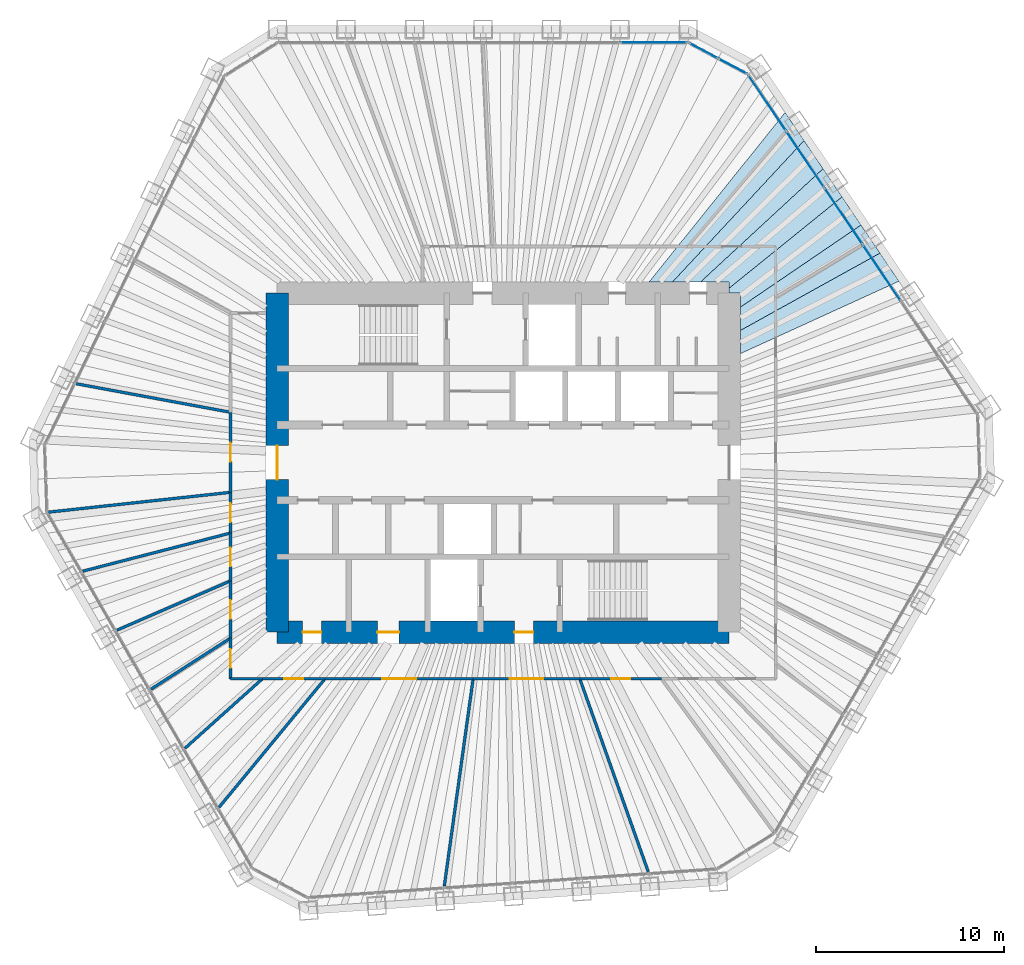
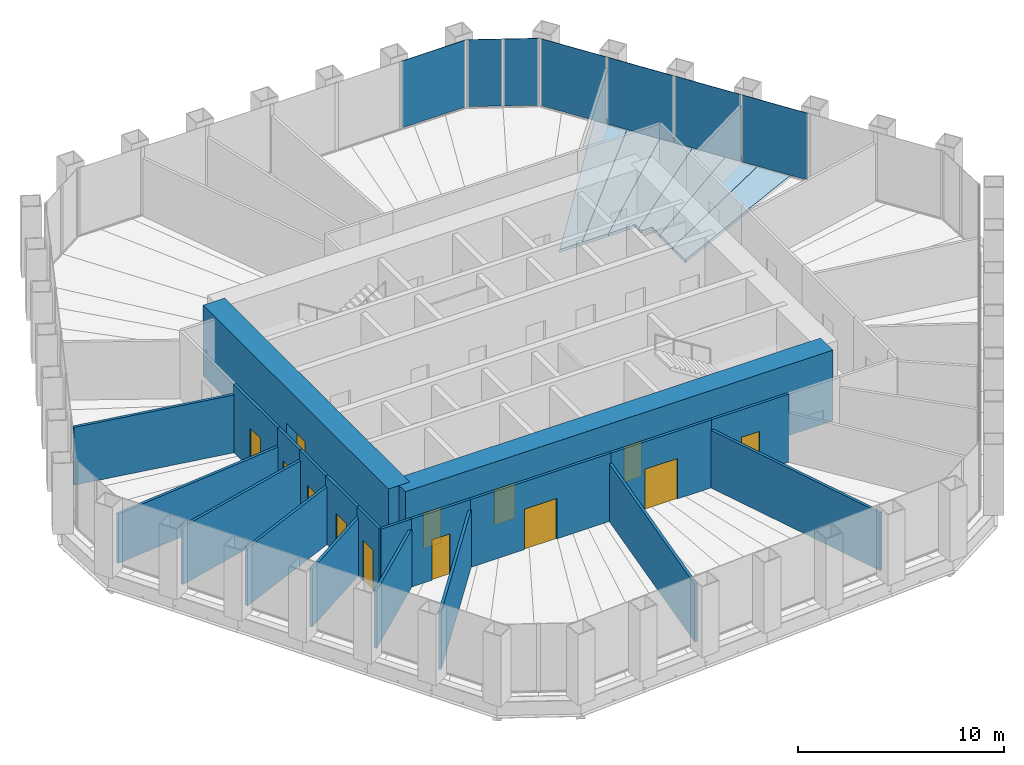
# One storey, part 10 of 14: 21 walls, 13 doors, 7 plates, 6 slabs, 13 openings, 3 elements without a shape of their own.
"""IFC4 building model written with IfcOpenShell, lengths in metres."""

from ifc_helpers import new_model, si_unit, direction, frame, frame_2d, origin, origin_2d, place, context, subcontext, project, spatial, polyline, rectangle, outline, extrude, material, layer, layer_set, type_object, element, fill, aggregate, save


model = new_model("IFC4")

# Units and contexts
model_context = context("Model", 3, precision=1e-05, world=origin(), true_north=direction((0.0, 1.0)))
body_context = subcontext(model_context, "Body", "Model", "MODEL_VIEW")
ifc_project = project(units=[si_unit("LENGTHUNIT", "METRE"), si_unit("AREAUNIT", "SQUARE_METRE"), si_unit("VOLUMEUNIT", "CUBIC_METRE"), si_unit("PLANEANGLEUNIT", "RADIAN"), si_unit("MASSUNIT", "GRAM", prefix="KILO")], contexts=[model_context])

# Site, building, storey
site_placement = place(None, origin())
site = spatial("IfcSite", under=ifc_project, at=site_placement, CompositionType="ELEMENT")
building_placement = place(site_placement, origin())
building = spatial("IfcBuilding", under=site, at=building_placement, Name="Qingtian Harvest Tower", CompositionType="ELEMENT")
storey_placement = place(building_placement, frame((0.0, 0.0, 243.39990234375)))
storey = spatial("IfcBuildingStorey", under=building, at=storey_placement, Name="L53", CompositionType="ELEMENT", Elevation=243.39990234375)

# Slabs
ifc_material_1 = material(Name="Concrete fc' 35 MPa", Category="concrete")
ifc_layer_1 = layer(ifc_material_1, 0.169921875)
ifc_layer_set_1 = layer_set([ifc_layer_1], Name="Composite floor slab FS17 170")
slab_type = type_object("IfcSlabType", Name="Composite floor slab FS17 170", PredefinedType="FLOOR", material=ifc_layer_set_1)
slab_1_placement = place(storey_placement, frame((0.0, 0.0, -0.169921875)))
element("IfcSlab", 1, at=slab_1_placement, inside=storey, type_object=slab_type, Name="Floor slab L53 panel D45", PredefinedType="FLOOR", context=body_context, shape_type="SweptSolid", body=[
    extrude(outline(polyline([(12.60009765625, 7.023681640625), (20.003662109375, 11.125244140625), (21.010986328125, 9.6318359375), (12.60009765625, 5.7900390625), (12.60009765625, 7.023681640625)])), origin(), (0.0, 0.0, 1.0), 0.169921875),
])
slab_2_placement = place(storey_placement, frame((0.0, 0.0, -0.169921875)))
element("IfcSlab", 2, at=slab_2_placement, inside=storey, type_object=slab_type, Name="Floor slab L53 panel D46", PredefinedType="FLOOR", context=body_context, shape_type="SweptSolid", body=[
    extrude(outline(polyline([(12.60009765625, 8.260498046875), (18.997802734375, 12.61669921875), (20.003662109375, 11.125244140625), (12.60009765625, 7.023681640625), (12.60009765625, 8.260498046875)])), origin(), (0.0, 0.0, 1.0), 0.169921875),
])
slab_3_placement = place(storey_placement, frame((0.0, 0.0, -0.169921875)))
element("IfcSlab", 3, at=slab_3_placement, inside=storey, type_object=slab_type, Name="Floor slab L53 panel D47", PredefinedType="FLOOR", context=body_context, shape_type="SweptSolid", body=[
    extrude(outline(polyline([(12.60009765625, 9.0), (12.0, 9.0), (12.0, 9.2666015625), (17.99072265625, 14.109375), (18.997802734375, 12.61669921875), (12.60009765625, 8.260498046875), (12.60009765625, 9.0)])), origin(), (0.0, 0.0, 1.0), 0.169921875),
])
slab_4_placement = place(storey_placement, frame((0.0, 0.0, -0.169921875)))
element("IfcSlab", 4, at=slab_4_placement, inside=storey, type_object=slab_type, Name="Floor slab L53 panel D48", PredefinedType="FLOOR", context=body_context, shape_type="SweptSolid", body=[
    extrude(outline(polyline([(12.0, 9.60009765625), (10.48583984375, 9.60009765625), (16.982177734375, 15.604736328125), (17.99072265625, 14.109375), (12.0, 9.2666015625), (12.0, 9.60009765625)])), origin(), (0.0, 0.0, 1.0), 0.169921875),
])
slab_5_placement = place(storey_placement, frame((0.0, 0.0, -0.169921875)))
element("IfcSlab", 5, at=slab_5_placement, inside=storey, type_object=slab_type, Name="Floor slab L53 panel D49", PredefinedType="FLOOR", context=body_context, shape_type="SweptSolid", body=[
    extrude(outline(polyline([(8.998291015625, 9.60009765625), (15.974853515625, 17.098388671875), (16.982177734375, 15.604736328125), (10.48583984375, 9.60009765625), (8.998291015625, 9.60009765625)])), origin(), (0.0, 0.0, 1.0), 0.169921875),
])
slab_6_placement = place(storey_placement, frame((0.0, 0.0, -0.169921875)))
element("IfcSlab", 6, at=slab_6_placement, inside=storey, type_object=slab_type, Name="Floor slab L53 panel D50", PredefinedType="FLOOR", context=body_context, shape_type="SweptSolid", body=[
    extrude(outline(polyline([(7.751220703125, 9.60009765625), (14.967529296875, 18.591796875), (15.974853515625, 17.098388671875), (8.998291015625, 9.60009765625), (7.751220703125, 9.60009765625)])), origin(), (0.0, 0.0, 1.0), 0.169921875),
])

# Curtain wall, plate
ifc_material_2 = material(Name="Bronze-anodised aluminium curtain wall", Category="aluminium")
curtain_wall_type = type_object("IfcCurtainWallType", Name="Curtain wall CW4 office", PredefinedType="USERDEFINED", material=ifc_material_2)
curtain_wall_1_placement = place(storey_placement, origin())
curtain_wall_1 = element("IfcCurtainWall", 7, at=curtain_wall_1_placement, inside=storey, type_object=curtain_wall_type, Name="Curtain wall CW4 L53 N0-5", ObjectType="RECESSED CURTAIN WALL", PredefinedType="USERDEFINED")
ifc_material_3 = material(Name="Bronze-tinted laminated insulating glass", Category="glass")
ifc_layer_2 = layer(ifc_material_3, 0.030029296875)
ifc_layer_set_2 = layer_set([ifc_layer_2], Name="Glazed panel CWP tinted IGU")
plate_type = type_object("IfcPlateType", Name="Glazed panel CWP tinted IGU", PredefinedType="CURTAIN_PANEL", material=ifc_layer_set_2)
plate_1_placement = place(storey_placement, frame((7.996337890625, 22.300048828125, 0.06494140625), z_axis=(0.0, 0.0, 1.0), x_axis=(1.0, 0.0, 0.0)))
plate_1 = element("IfcPlate", 8, at=plate_1_placement, type_object=plate_type, Name="CW4 panel 6.1", PredefinedType="CURTAIN_PANEL", context=body_context, shape_type="SweptSolid", body=[
    extrude(rectangle(XDim=3.5361328125, YDim=0.030029296875, at=origin_2d()), origin(), (0.0, 0.0, 1.0), 3.965087890625),
])
aggregate(curtain_wall_1, [plate_1])

# Curtain wall, plates
curtain_wall_2_placement = place(storey_placement, origin())
curtain_wall_2 = element("IfcCurtainWall", 9, at=curtain_wall_2_placement, inside=storey, type_object=curtain_wall_type, Name="Curtain wall CW4 L53 NC", ObjectType="RECESSED CURTAIN WALL", PredefinedType="USERDEFINED")
plate_2_placement = place(storey_placement, frame((10.634033203125, 21.8720703125, 0.06494140625), z_axis=(0.0, 0.0, 1.0), x_axis=(0.882947592859, -0.469471562786, 0.0)))
plate_2 = element("IfcPlate", 10, at=plate_2_placement, type_object=plate_type, Name="CW4 panel 1.1", PredefinedType="CURTAIN_PANEL", context=body_context, shape_type="SweptSolid", body=[
    extrude(rectangle(XDim=1.69287109375, YDim=0.030029296875, at=origin_2d()), origin(), (0.0, 0.0, 1.0), 3.965087890625),
])
plate_3_placement = place(storey_placement, frame((12.186279296875, 21.046875, 0.06494140625), z_axis=(0.0, 0.0, 1.0), x_axis=(0.882947592859, -0.469471562786, 0.0)))
plate_3 = element("IfcPlate", 11, at=plate_3_placement, type_object=plate_type, Name="CW4 panel 2.1", PredefinedType="CURTAIN_PANEL", context=body_context, shape_type="SweptSolid", body=[
    extrude(rectangle(XDim=1.69287109375, YDim=0.030029296875, at=origin_2d()), origin(), (0.0, 0.0, 1.0), 3.965087890625),
])
aggregate(curtain_wall_2, [plate_2, plate_3])

curtain_wall_3_placement = place(storey_placement, origin())
curtain_wall_3 = element("IfcCurtainWall", 12, at=curtain_wall_3_placement, inside=storey, type_object=curtain_wall_type, Name="Curtain wall CW4 L53 NE0-5", ObjectType="RECESSED CURTAIN WALL", PredefinedType="USERDEFINED")
plate_4_placement = place(storey_placement, frame((14.01611328125, 19.09912109375, 0.06494140625), z_axis=(0.0, 0.0, 1.0), x_axis=(0.559192903471, -0.829037572555, 0.0)))
plate_4 = element("IfcPlate", 13, at=plate_4_placement, type_object=plate_type, Name="CW4 panel 1.1", PredefinedType="CURTAIN_PANEL", context=body_context, shape_type="SweptSolid", body=[
    extrude(rectangle(XDim=3.5361328125, YDim=0.030029296875, at=origin_2d()), origin(), (0.0, 0.0, 1.0), 3.965087890625),
])
plate_5_placement = place(storey_placement, frame((16.038818359375, 16.100341796875, 0.06494140625), z_axis=(0.0, 0.0, 1.0), x_axis=(0.559192903471, -0.829037572555, 0.0)))
plate_5 = element("IfcPlate", 14, at=plate_5_placement, type_object=plate_type, Name="CW4 panel 2.1", PredefinedType="CURTAIN_PANEL", context=body_context, shape_type="SweptSolid", body=[
    extrude(rectangle(XDim=3.568603515625, YDim=0.030029296875, at=origin_2d()), origin(), (0.0, 0.0, 1.0), 3.965087890625),
])
plate_6_placement = place(storey_placement, frame((18.07080078125, 13.087890625, 0.06494140625), z_axis=(0.0, 0.0, 1.0), x_axis=(0.559192903471, -0.829037572555, 0.0)))
plate_6 = element("IfcPlate", 15, at=plate_6_placement, type_object=plate_type, Name="CW4 panel 3.1", PredefinedType="CURTAIN_PANEL", context=body_context, shape_type="SweptSolid", body=[
    extrude(rectangle(XDim=3.568603515625, YDim=0.030029296875, at=origin_2d()), origin(), (0.0, 0.0, 1.0), 3.965087890625),
])
plate_7_placement = place(storey_placement, frame((20.1025390625, 10.07568359375, 0.06494140625), z_axis=(0.0, 0.0, 1.0), x_axis=(0.559192903471, -0.829037572555, 0.0)))
plate_7 = element("IfcPlate", 16, at=plate_7_placement, type_object=plate_type, Name="CW4 panel 4.1", PredefinedType="CURTAIN_PANEL", context=body_context, shape_type="SweptSolid", body=[
    extrude(rectangle(XDim=3.568603515625, YDim=0.030029296875, at=origin_2d()), origin(), (0.0, 0.0, 1.0), 3.965087890625),
])
aggregate(curtain_wall_3, [plate_4, plate_5, plate_6, plate_7])

# Wall, openings, doors
ifc_material_4 = material(Name="Concrete fc' 70 MPa", Category="concrete")
ifc_layer_3 = layer(ifc_material_4, 1.199951171875)
ifc_layer_set_3 = layer_set([ifc_layer_3], Name="Core wall RC2 1200")
wall_type_1 = type_object("IfcWallType", Name="Core wall RC2 1200", PredefinedType="SHEAR", material=ifc_layer_set_3)
wall_1_placement = place(storey_placement, frame((-12.0, -9.0, 0.0), z_axis=(0.0, 0.0, 1.0), x_axis=(1.0, 0.0, 0.0)))
wall_1 = element("IfcWall", 17, at=wall_1_placement, inside=storey, type_object=wall_type_1, Name="Core wall CS L53", PredefinedType="SHEAR", context=body_context, shape_type="SweptSolid", body=[
    extrude(rectangle(XDim=24.0, YDim=1.199951171875, at=frame_2d((12.0, 0.0))), origin(), (0.0, 0.0, 1.0), 4.2001953125),
])
opening_1_placement = place(wall_1_placement, frame((1.35009765625, 0.0, 0.0)))
opening_1 = element("IfcOpeningElement", 18, at=opening_1_placement, cuts=wall_1, Name="Opening FD1", PredefinedType="OPENING", context=body_context, shape_type="SweptSolid", body=[
    extrude(rectangle(XDim=1.0, YDim=2.10009765625, at=frame_2d((0.5, 1.050048828125))), frame((0.0, 0.60986328125, 0.0), z_axis=(0.0, -1.0, 0.0), x_axis=(1.0, 0.0, 0.0)), (0.0, 0.0, 1.0), 1.219970703125),
])
opening_2_placement = place(wall_1_placement, frame((5.324951171875, 0.0, 0.0)))
opening_2 = element("IfcOpeningElement", 19, at=opening_2_placement, cuts=wall_1, Name="Opening AD1", PredefinedType="OPENING", context=body_context, shape_type="SweptSolid", body=[
    extrude(rectangle(XDim=1.14990234375, YDim=2.10009765625, at=frame_2d((0.574951171875, 1.050048828125))), frame((0.0, 0.60986328125, 0.0), z_axis=(0.0, -1.0, 0.0), x_axis=(1.0, 0.0, 0.0)), (0.0, 0.0, 1.0), 1.219970703125),
])
opening_3_placement = place(wall_1_placement, frame((12.60009765625, 0.0, 0.0)))
opening_3 = element("IfcOpeningElement", 20, at=opening_3_placement, cuts=wall_1, Name="Opening FD1", PredefinedType="OPENING", context=body_context, shape_type="SweptSolid", body=[
    extrude(rectangle(XDim=1.0, YDim=2.10009765625, at=frame_2d((0.5, 1.050048828125))), frame((0.0, 0.60986328125, 0.0), z_axis=(0.0, -1.0, 0.0), x_axis=(1.0, 0.0, 0.0)), (0.0, 0.0, 1.0), 1.219970703125),
])
ifc_material_5 = material(Name="Laminated timber door leaf", Category="wood")
door_type_1 = type_object("IfcDoorType", Name="Accessible WC door AD1 single", OperationType="SINGLE_SWING_LEFT", PredefinedType="DOOR", material=ifc_material_5)
door_1_placement = place(opening_2_placement, origin())
door_1 = element("IfcDoor", 21, at=door_1_placement, inside=storey, type_object=door_type_1, Name="AWC door L53", OperationType="SINGLE_SWING_LEFT", OverallHeight=2.10009765625, OverallWidth=1.14990234375, PredefinedType="DOOR", context=body_context, shape_type="SweptSolid", body=[
    extrude(rectangle(XDim=1.14990234375, YDim=2.10009765625, at=frame_2d((0.574951171875, 1.050048828125))), frame((0.0, 0.02490234375, 0.0), z_axis=(0.0, -1.0, 0.0), x_axis=(1.0, 0.0, 0.0)), (0.0, 0.0, 1.0), 0.050048828125),
])
fill(opening_2, door_1)
ifc_material_6 = material(Name="Steel-faced door leaf", Category="steel")
door_type_2 = type_object("IfcDoorType", Name="Fire door FD1 single 1 HR", OperationType="SINGLE_SWING_LEFT", PredefinedType="DOOR", material=ifc_material_6)
door_2_placement = place(opening_1_placement, origin())
door_2 = element("IfcDoor", 22, at=door_2_placement, inside=storey, type_object=door_type_2, Name="CLN door L53", OperationType="SINGLE_SWING_LEFT", OverallHeight=2.10009765625, OverallWidth=1.0, PredefinedType="DOOR", context=body_context, shape_type="SweptSolid", body=[
    extrude(rectangle(XDim=1.0, YDim=2.10009765625, at=frame_2d((0.5, 1.050048828125))), frame((0.0, 0.02490234375, 0.0), z_axis=(0.0, -1.0, 0.0), x_axis=(1.0, 0.0, 0.0)), (0.0, 0.0, 1.0), 0.050048828125),
])
fill(opening_1, door_2)
door_3_placement = place(opening_3_placement, origin())
door_3 = element("IfcDoor", 23, at=door_3_placement, inside=storey, type_object=door_type_2, Name="V2 door L53", OperationType="SINGLE_SWING_RIGHT", OverallHeight=2.10009765625, OverallWidth=1.0, PredefinedType="DOOR", context=body_context, shape_type="SweptSolid", body=[
    extrude(rectangle(XDim=1.0, YDim=2.10009765625, at=frame_2d((0.5, 1.050048828125))), frame((0.0, 0.02490234375, 0.0), z_axis=(0.0, -1.0, 0.0), x_axis=(1.0, 0.0, 0.0)), (0.0, 0.0, 1.0), 0.050048828125),
])
fill(opening_3, door_3)

# Wall, opening, door
wall_2_placement = place(storey_placement, frame((-12.0, -9.0, 0.0), z_axis=(0.0, 0.0, 1.0), x_axis=(0.0, 1.0, 0.0)))
wall_2 = element("IfcWall", 24, at=wall_2_placement, inside=storey, type_object=wall_type_1, Name="Core wall CW L53", PredefinedType="SHEAR", context=body_context, shape_type="SweptSolid", body=[
    extrude(rectangle(XDim=18.0, YDim=1.199951171875, at=frame_2d((9.0, 0.0))), origin(), (0.0, 0.0, 1.0), 4.2001953125),
])
opening_4_placement = place(wall_2_placement, frame((8.10009765625, 0.0, 0.0)))
opening_4 = element("IfcOpeningElement", 25, at=opening_4_placement, cuts=wall_2, Name="Opening FD2", PredefinedType="OPENING", context=body_context, shape_type="SweptSolid", body=[
    extrude(rectangle(XDim=1.800048828125, YDim=2.10009765625, at=frame_2d((0.89990234375, 1.050048828125))), frame((0.0, 0.60986328125, 0.0), z_axis=(0.0, -1.0, 0.0), x_axis=(1.0, 0.0, 0.0)), (0.0, 0.0, 1.0), 1.219970703125),
])
ifc_material_7 = material(Name="Steel-faced door leaf", Category="steel")
door_type_3 = type_object("IfcDoorType", Name="Fire door FD2 double 1 HR", OperationType="DOUBLE_DOOR_DOUBLE_SWING", PredefinedType="DOOR", material=ifc_material_7)
door_4_placement = place(opening_4_placement, origin())
door_4 = element("IfcDoor", 26, at=door_4_placement, inside=storey, type_object=door_type_3, Name="LOBBY-W door L53", OperationType="DOUBLE_DOOR_DOUBLE_SWING", OverallHeight=2.10009765625, OverallWidth=1.800048828125, PredefinedType="DOOR", context=body_context, shape_type="SweptSolid", body=[
    extrude(rectangle(XDim=1.800048828125, YDim=2.10009765625, at=frame_2d((0.89990234375, 1.050048828125))), frame((0.0, 0.02490234375, 0.0), z_axis=(0.0, -1.0, 0.0), x_axis=(1.0, 0.0, 0.0)), (0.0, 0.0, 1.0), 0.050048828125),
])
fill(opening_4, door_4)

# Wall
ifc_material_8 = material(Name="Gypsum board on steel studs", Category="steel")
ifc_layer_4 = layer(ifc_material_8, 0.14990234375)
ifc_layer_set_4 = layer_set([ifc_layer_4], Name="Partition PT1 150")
wall_type_2 = type_object("IfcWallType", Name="Partition PT1 150", PredefinedType="PARTITIONING", material=ifc_layer_set_4)
wall_3_placement = place(storey_placement, frame((-15.07958984375, -18.294189453125, 0.0), z_axis=(0.0, 0.0, 1.0), x_axis=(0.636052894953, 0.771645459277, 0.0)))
element("IfcWall", 27, at=wall_3_placement, inside=storey, type_object=wall_type_2, Name="Private office wall L53", PredefinedType="PARTITIONING", context=body_context, shape_type="SweptSolid", body=[
    extrude(rectangle(XDim=8.837158203125, YDim=0.14990234375, at=frame_2d((4.41845703125, 0.0))), origin(), (0.0, 0.0, 1.0), 3.43017578125),
])

# Wall, opening, door
wall_4_placement = place(storey_placement, frame((-9.458740234375, -11.47509765625, 0.0), z_axis=(0.0, 0.0, 1.0), x_axis=(-1.0, 0.0, 0.0)))
wall_4 = element("IfcWall", 28, at=wall_4_placement, inside=storey, type_object=wall_type_2, Name="Private office wall L53", PredefinedType="PARTITIONING", context=body_context, shape_type="SweptSolid", body=[
    extrude(rectangle(XDim=3.32421875, YDim=0.14990234375, at=frame_2d((1.662109375, 0.0))), origin(), (0.0, 0.0, 1.0), 4.030029296875),
])
opening_5_placement = place(wall_4_placement, frame((1.162109375, 0.0, 0.0)))
opening_5 = element("IfcOpeningElement", 29, at=opening_5_placement, cuts=wall_4, Name="Opening D2", PredefinedType="OPENING", context=body_context, shape_type="SweptSolid", body=[
    extrude(rectangle(XDim=1.0, YDim=2.39990234375, at=frame_2d((0.5, 1.199951171875))), frame((0.0, 0.0849609375, 0.0), z_axis=(0.0, -1.0, 0.0), x_axis=(1.0, 0.0, 0.0)), (0.0, 0.0, 1.0), 0.169921875),
])
ifc_material_9 = material(Name="Laminated timber door leaf", Category="wood")
door_type_4 = type_object("IfcDoorType", Name="Room door D2 single", OperationType="SINGLE_SWING_LEFT", PredefinedType="DOOR", material=ifc_material_9)
door_5_placement = place(opening_5_placement, origin())
door_5 = element("IfcDoor", 30, at=door_5_placement, inside=storey, type_object=door_type_4, Name="Private office door L53", OperationType="SINGLE_SWING_RIGHT", OverallHeight=2.39990234375, OverallWidth=1.0, PredefinedType="DOOR", context=body_context, shape_type="SweptSolid", body=[
    extrude(rectangle(XDim=1.0, YDim=2.39990234375, at=frame_2d((0.5, 1.199951171875))), frame((0.0, 0.02490234375, 0.0), z_axis=(0.0, -1.0, 0.0), x_axis=(1.0, 0.0, 0.0)), (0.0, 0.0, 1.0), 0.050048828125),
])
fill(opening_5, door_5)

# Walls
wall_5_placement = place(storey_placement, frame((-16.885498046875, -15.15771484375, 0.0), z_axis=(0.0, 0.0, 1.0), x_axis=(0.744165513773, 0.667995275515, 0.0)))
element("IfcWall", 31, at=wall_5_placement, inside=storey, type_object=wall_type_2, Name="Private office wall L53", PredefinedType="PARTITIONING", context=body_context, shape_type="SweptSolid", body=[
    extrude(rectangle(XDim=5.512939453125, YDim=0.14990234375, at=frame_2d((2.75634765625, 0.0))), origin(), (0.0, 0.0, 1.0), 3.43017578125),
])
wall_6_placement = place(storey_placement, frame((-12.782958984375, -11.47509765625, 0.0), z_axis=(0.0, 0.0, 1.0), x_axis=(-1.0, 0.0, 0.0)))
element("IfcWall", 32, at=wall_6_placement, inside=storey, type_object=wall_type_2, Name="Private office wall L53", PredefinedType="PARTITIONING", context=body_context, shape_type="SweptSolid", body=[
    extrude(rectangle(XDim=1.692138671875, YDim=0.14990234375, at=frame_2d((0.84619140625, 0.0))), origin(), (0.0, 0.0, 1.0), 4.030029296875),
])

# Wall, opening, door
wall_7_placement = place(storey_placement, frame((-14.47509765625, -11.47509765625, 0.0), z_axis=(0.0, 0.0, 1.0), x_axis=(0.0, 1.0, 0.0)))
wall_7 = element("IfcWall", 33, at=wall_7_placement, inside=storey, type_object=wall_type_2, Name="Private office wall L53", PredefinedType="PARTITIONING", context=body_context, shape_type="SweptSolid", body=[
    extrude(rectangle(XDim=2.164306640625, YDim=0.14990234375, at=frame_2d((1.08203125, 0.0))), origin(), (0.0, 0.0, 1.0), 4.030029296875),
])
opening_6_placement = place(wall_7_placement, frame((0.58203125, 0.0, 0.0)))
opening_6 = element("IfcOpeningElement", 34, at=opening_6_placement, cuts=wall_7, Name="Opening D2", PredefinedType="OPENING", context=body_context, shape_type="SweptSolid", body=[
    extrude(rectangle(XDim=1.0, YDim=2.39990234375, at=frame_2d((0.5, 1.199951171875))), frame((0.0, 0.0849609375, 0.0), z_axis=(0.0, -1.0, 0.0), x_axis=(1.0, 0.0, 0.0)), (0.0, 0.0, 1.0), 0.169921875),
])
door_6_placement = place(opening_6_placement, origin())
door_6 = element("IfcDoor", 35, at=door_6_placement, inside=storey, type_object=door_type_4, Name="Private office door L53", OperationType="SINGLE_SWING_LEFT", OverallHeight=2.39990234375, OverallWidth=1.0, PredefinedType="DOOR", context=body_context, shape_type="SweptSolid", body=[
    extrude(rectangle(XDim=1.0, YDim=2.39990234375, at=frame_2d((0.5, 1.199951171875))), frame((0.0, 0.02490234375, 0.0), z_axis=(0.0, -1.0, 0.0), x_axis=(1.0, 0.0, 0.0)), (0.0, 0.0, 1.0), 0.050048828125),
])
fill(opening_6, door_6)

# Wall
wall_8_placement = place(storey_placement, frame((-18.692626953125, -12.023681640625, 0.0), z_axis=(0.0, 0.0, 1.0), x_axis=(0.841031335058, 0.540986407824, 0.0)))
element("IfcWall", 36, at=wall_8_placement, inside=storey, type_object=wall_type_2, Name="Private office wall L53", PredefinedType="PARTITIONING", context=body_context, shape_type="SweptSolid", body=[
    extrude(rectangle(XDim=5.0146484375, YDim=0.14990234375, at=frame_2d((2.50732421875, 0.0))), origin(), (0.0, 0.0, 1.0), 3.43017578125),
])

# Wall, opening, door
wall_9_placement = place(storey_placement, frame((-14.47509765625, -9.310791015625, 0.0), z_axis=(0.0, 0.0, 1.0), x_axis=(0.0, 1.0, 0.0)))
wall_9 = element("IfcWall", 37, at=wall_9_placement, inside=storey, type_object=wall_type_2, Name="Private office wall L53", PredefinedType="PARTITIONING", context=body_context, shape_type="SweptSolid", body=[
    extrude(rectangle(XDim=3.033203125, YDim=0.14990234375, at=frame_2d((1.5166015625, 0.0))), origin(), (0.0, 0.0, 1.0), 4.030029296875),
])
opening_7_placement = place(wall_9_placement, frame((1.0166015625, 0.0, 0.0)))
opening_7 = element("IfcOpeningElement", 38, at=opening_7_placement, cuts=wall_9, Name="Opening D2", PredefinedType="OPENING", context=body_context, shape_type="SweptSolid", body=[
    extrude(rectangle(XDim=1.0, YDim=2.39990234375, at=frame_2d((0.5, 1.199951171875))), frame((0.0, 0.0849609375, 0.0), z_axis=(0.0, -1.0, 0.0), x_axis=(1.0, 0.0, 0.0)), (0.0, 0.0, 1.0), 0.169921875),
])
door_7_placement = place(opening_7_placement, origin())
door_7 = element("IfcDoor", 39, at=door_7_placement, inside=storey, type_object=door_type_4, Name="Private office door L53", OperationType="SINGLE_SWING_LEFT", OverallHeight=2.39990234375, OverallWidth=1.0, PredefinedType="DOOR", context=body_context, shape_type="SweptSolid", body=[
    extrude(rectangle(XDim=1.0, YDim=2.39990234375, at=frame_2d((0.5, 1.199951171875))), frame((0.0, 0.02490234375, 0.0), z_axis=(0.0, -1.0, 0.0), x_axis=(1.0, 0.0, 0.0)), (0.0, 0.0, 1.0), 0.050048828125),
])
fill(opening_7, door_7)

# Wall
wall_10_placement = place(storey_placement, frame((-20.501708984375, -8.891357421875, 0.0), z_axis=(0.0, 0.0, 1.0), x_axis=(0.917431289744, 0.397894242982, 0.0)))
element("IfcWall", 40, at=wall_10_placement, inside=storey, type_object=wall_type_2, Name="Private office wall L53", PredefinedType="PARTITIONING", context=body_context, shape_type="SweptSolid", body=[
    extrude(rectangle(XDim=6.569091796875, YDim=0.14990234375, at=frame_2d((3.28466796875, 0.0))), origin(), (0.0, 0.0, 1.0), 3.43017578125),
])

# Wall, opening, door
wall_11_placement = place(storey_placement, frame((-14.47509765625, -6.277587890625, 0.0), z_axis=(0.0, 0.0, 1.0), x_axis=(0.0, 1.0, 0.0)))
wall_11 = element("IfcWall", 41, at=wall_11_placement, inside=storey, type_object=wall_type_2, Name="Private office wall L53", PredefinedType="PARTITIONING", context=body_context, shape_type="SweptSolid", body=[
    extrude(rectangle(XDim=2.54150390625, YDim=0.14990234375, at=frame_2d((1.270751953125, 0.0))), origin(), (0.0, 0.0, 1.0), 4.030029296875),
])
opening_8_placement = place(wall_11_placement, frame((0.770751953125, 0.0, 0.0)))
opening_8 = element("IfcOpeningElement", 42, at=opening_8_placement, cuts=wall_11, Name="Opening D2", PredefinedType="OPENING", context=body_context, shape_type="SweptSolid", body=[
    extrude(rectangle(XDim=1.0, YDim=2.39990234375, at=frame_2d((0.5, 1.199951171875))), frame((0.0, 0.0849609375, 0.0), z_axis=(0.0, -1.0, 0.0), x_axis=(1.0, 0.0, 0.0)), (0.0, 0.0, 1.0), 0.169921875),
])
door_8_placement = place(opening_8_placement, origin())
door_8 = element("IfcDoor", 43, at=door_8_placement, inside=storey, type_object=door_type_4, Name="Private office door L53", OperationType="SINGLE_SWING_LEFT", OverallHeight=2.39990234375, OverallWidth=1.0, PredefinedType="DOOR", context=body_context, shape_type="SweptSolid", body=[
    extrude(rectangle(XDim=1.0, YDim=2.39990234375, at=frame_2d((0.5, 1.199951171875))), frame((0.0, 0.02490234375, 0.0), z_axis=(0.0, -1.0, 0.0), x_axis=(1.0, 0.0, 0.0)), (0.0, 0.0, 1.0), 0.050048828125),
])
fill(opening_8, door_8)

# Wall
wall_12_placement = place(storey_placement, frame((-22.3134765625, -5.75927734375, 0.0), z_axis=(0.0, 0.0, 1.0), x_axis=(0.968265788926, 0.249922712042, 0.0)))
element("IfcWall", 44, at=wall_12_placement, inside=storey, type_object=wall_type_2, Name="Private office wall L53", PredefinedType="PARTITIONING", context=body_context, shape_type="SweptSolid", body=[
    extrude(rectangle(XDim=8.09521484375, YDim=0.14990234375, at=frame_2d((4.047607421875, 0.0))), origin(), (0.0, 0.0, 1.0), 3.43017578125),
])

# Wall, opening, door
wall_13_placement = place(storey_placement, frame((-14.47509765625, -3.736083984375, 0.0), z_axis=(0.0, 0.0, 1.0), x_axis=(0.0, 1.0, 0.0)))
wall_13 = element("IfcWall", 45, at=wall_13_placement, inside=storey, type_object=wall_type_2, Name="Private office wall L53", PredefinedType="PARTITIONING", context=body_context, shape_type="SweptSolid", body=[
    extrude(rectangle(XDim=2.16015625, YDim=0.14990234375, at=frame_2d((1.080078125, 0.0))), origin(), (0.0, 0.0, 1.0), 4.030029296875),
])
opening_9_placement = place(wall_13_placement, frame((0.580078125, 0.0, 0.0)))
opening_9 = element("IfcOpeningElement", 46, at=opening_9_placement, cuts=wall_13, Name="Opening D2", PredefinedType="OPENING", context=body_context, shape_type="SweptSolid", body=[
    extrude(rectangle(XDim=1.0, YDim=2.39990234375, at=frame_2d((0.5, 1.199951171875))), frame((0.0, 0.0849609375, 0.0), z_axis=(0.0, -1.0, 0.0), x_axis=(1.0, 0.0, 0.0)), (0.0, 0.0, 1.0), 0.169921875),
])
door_9_placement = place(opening_9_placement, origin())
door_9 = element("IfcDoor", 47, at=door_9_placement, inside=storey, type_object=door_type_4, Name="Private office door L53", OperationType="SINGLE_SWING_LEFT", OverallHeight=2.39990234375, OverallWidth=1.0, PredefinedType="DOOR", context=body_context, shape_type="SweptSolid", body=[
    extrude(rectangle(XDim=1.0, YDim=2.39990234375, at=frame_2d((0.5, 1.199951171875))), frame((0.0, 0.02490234375, 0.0), z_axis=(0.0, -1.0, 0.0), x_axis=(1.0, 0.0, 0.0)), (0.0, 0.0, 1.0), 0.050048828125),
])
fill(opening_9, door_9)

# Wall
wall_14_placement = place(storey_placement, frame((-24.127685546875, -2.626708984375, 0.0), z_axis=(0.0, 0.0, 1.0), x_axis=(0.994126892449, 0.108220708326, 0.0)))
element("IfcWall", 48, at=wall_14_placement, inside=storey, type_object=wall_type_2, Name="Private office wall L53", PredefinedType="PARTITIONING", context=body_context, shape_type="SweptSolid", body=[
    extrude(rectangle(XDim=9.709716796875, YDim=0.14990234375, at=frame_2d((4.85498046875, 0.0))), origin(), (0.0, 0.0, 1.0), 2.93017578125),
])

# Wall, opening, door
wall_15_placement = place(storey_placement, frame((-14.47509765625, -1.575927734375, 0.0), z_axis=(0.0, 0.0, 1.0), x_axis=(0.0, 1.0, 0.0)))
wall_15 = element("IfcWall", 49, at=wall_15_placement, inside=storey, type_object=wall_type_2, Name="Private office wall L53", PredefinedType="PARTITIONING", context=body_context, shape_type="SweptSolid", body=[
    extrude(rectangle(XDim=4.251708984375, YDim=0.14990234375, at=frame_2d((2.1259765625, 0.0))), origin(), (0.0, 0.0, 1.0), 4.030029296875),
])
opening_10_placement = place(wall_15_placement, frame((1.625732421875, 0.0, 0.0)))
opening_10 = element("IfcOpeningElement", 50, at=opening_10_placement, cuts=wall_15, Name="Opening D2", PredefinedType="OPENING", context=body_context, shape_type="SweptSolid", body=[
    extrude(rectangle(XDim=1.0, YDim=2.39990234375, at=frame_2d((0.5, 1.199951171875))), frame((0.0, 0.0849609375, 0.0), z_axis=(0.0, -1.0, 0.0), x_axis=(1.0, 0.0, 0.0)), (0.0, 0.0, 1.0), 0.169921875),
])
door_10_placement = place(opening_10_placement, origin())
door_10 = element("IfcDoor", 51, at=door_10_placement, inside=storey, type_object=door_type_4, Name="Private office door L53", OperationType="SINGLE_SWING_RIGHT", OverallHeight=2.39990234375, OverallWidth=1.0, PredefinedType="DOOR", context=body_context, shape_type="SweptSolid", body=[
    extrude(rectangle(XDim=1.0, YDim=2.39990234375, at=frame_2d((0.5, 1.199951171875))), frame((0.0, 0.02490234375, 0.0), z_axis=(0.0, -1.0, 0.0), x_axis=(1.0, 0.0, 0.0)), (0.0, 0.0, 1.0), 0.050048828125),
])
fill(opening_10, door_10)

# Wall
wall_16_placement = place(storey_placement, frame((-22.660888671875, 4.188720703125, 0.0), z_axis=(0.0, 0.0, 1.0), x_axis=(0.983345347199, -0.181746879316, 0.0)))
element("IfcWall", 52, at=wall_16_placement, inside=storey, type_object=wall_type_2, Name="Meeting room wall L53", PredefinedType="PARTITIONING", context=body_context, shape_type="SweptSolid", body=[
    extrude(rectangle(XDim=8.324462890625, YDim=0.14990234375, at=frame_2d((4.162109375, 0.0))), origin(), (0.0, 0.0, 1.0), 3.43017578125),
])

# Wall, opening, door
wall_17_placement = place(storey_placement, frame((8.402587890625, -11.47509765625, 0.0), z_axis=(0.0, 0.0, 1.0), x_axis=(-1.0, 0.0, 0.0)))
wall_17 = element("IfcWall", 53, at=wall_17_placement, inside=storey, type_object=wall_type_2, Name="Private office wall L53", PredefinedType="PARTITIONING", context=body_context, shape_type="SweptSolid", body=[
    extrude(rectangle(XDim=4.3330078125, YDim=0.14990234375, at=frame_2d((2.16650390625, 0.0))), origin(), (0.0, 0.0, 1.0), 4.030029296875),
])
opening_11_placement = place(wall_17_placement, frame((1.66650390625, 0.0, 0.0)))
opening_11 = element("IfcOpeningElement", 54, at=opening_11_placement, cuts=wall_17, Name="Opening D2", PredefinedType="OPENING", context=body_context, shape_type="SweptSolid", body=[
    extrude(rectangle(XDim=1.0, YDim=2.39990234375, at=frame_2d((0.5, 1.199951171875))), frame((0.0, 0.0849609375, 0.0), z_axis=(0.0, -1.0, 0.0), x_axis=(1.0, 0.0, 0.0)), (0.0, 0.0, 1.0), 0.169921875),
])
door_11_placement = place(opening_11_placement, origin())
door_11 = element("IfcDoor", 55, at=door_11_placement, inside=storey, type_object=door_type_4, Name="Private office door L53", OperationType="SINGLE_SWING_RIGHT", OverallHeight=2.39990234375, OverallWidth=1.0, PredefinedType="DOOR", context=body_context, shape_type="SweptSolid", body=[
    extrude(rectangle(XDim=1.0, YDim=2.39990234375, at=frame_2d((0.5, 1.199951171875))), frame((0.0, 0.02490234375, 0.0), z_axis=(0.0, -1.0, 0.0), x_axis=(1.0, 0.0, 0.0)), (0.0, 0.0, 1.0), 0.050048828125),
])
fill(opening_11, door_11)

# Wall
wall_18_placement = place(storey_placement, frame((7.702880859375, -21.71923828125, 0.0), z_axis=(0.0, 0.0, 1.0), x_axis=(-0.334269551553, 0.942477515331, 0.0)))
element("IfcWall", 56, at=wall_18_placement, inside=storey, type_object=wall_type_2, Name="Training room wall L53", PredefinedType="PARTITIONING", context=body_context, shape_type="SweptSolid", body=[
    extrude(rectangle(XDim=10.869384765625, YDim=0.14990234375, at=frame_2d((5.4345703125, 0.0))), origin(), (0.0, 0.0, 1.0), 3.43017578125),
])

# Wall, opening, door
wall_19_placement = place(storey_placement, frame((4.069580078125, -11.47509765625, 0.0), z_axis=(0.0, 0.0, 1.0), x_axis=(-1.0, 0.0, 0.0)))
wall_19 = element("IfcWall", 57, at=wall_19_placement, inside=storey, type_object=wall_type_2, Name="Training room wall L53", PredefinedType="PARTITIONING", context=body_context, shape_type="SweptSolid", body=[
    extrude(rectangle(XDim=5.66455078125, YDim=0.14990234375, at=frame_2d((2.832275390625, 0.0))), origin(), (0.0, 0.0, 1.0), 4.030029296875),
])
opening_12_placement = place(wall_19_placement, frame((1.932373046875, 0.0, 0.0)))
opening_12 = element("IfcOpeningElement", 58, at=opening_12_placement, cuts=wall_19, Name="Opening D3", PredefinedType="OPENING", context=body_context, shape_type="SweptSolid", body=[
    extrude(rectangle(XDim=1.800048828125, YDim=2.39990234375, at=frame_2d((0.89990234375, 1.199951171875))), frame((0.0, 0.0849609375, 0.0), z_axis=(0.0, -1.0, 0.0), x_axis=(1.0, 0.0, 0.0)), (0.0, 0.0, 1.0), 0.169921875),
])
ifc_material_10 = material(Name="Laminated timber door leaf", Category="wood")
door_type_5 = type_object("IfcDoorType", Name="Room door D3 double", OperationType="DOUBLE_DOOR_DOUBLE_SWING", PredefinedType="DOOR", material=ifc_material_10)
door_12_placement = place(opening_12_placement, origin())
door_12 = element("IfcDoor", 59, at=door_12_placement, inside=storey, type_object=door_type_5, Name="Training room door L53", OperationType="DOUBLE_DOOR_DOUBLE_SWING", OverallHeight=2.39990234375, OverallWidth=1.800048828125, PredefinedType="DOOR", context=body_context, shape_type="SweptSolid", body=[
    extrude(rectangle(XDim=1.800048828125, YDim=2.39990234375, at=frame_2d((0.89990234375, 1.199951171875))), frame((0.0, 0.02490234375, 0.0), z_axis=(0.0, -1.0, 0.0), x_axis=(1.0, 0.0, 0.0)), (0.0, 0.0, 1.0), 0.050048828125),
])
fill(opening_12, door_12)

# Wall
wall_20_placement = place(storey_placement, frame((-3.1240234375, -22.474853515625, 0.0), z_axis=(0.0, 0.0, 1.0), x_axis=(0.137683997015, 0.990476207168, 0.0)))
element("IfcWall", 60, at=wall_20_placement, inside=storey, type_object=wall_type_2, Name="Workplace zone wall L53", PredefinedType="PARTITIONING", context=body_context, shape_type="SweptSolid", body=[
    extrude(rectangle(XDim=11.10546875, YDim=0.14990234375, at=frame_2d((5.552734375, 0.0))), origin(), (0.0, 0.0, 1.0), 3.43017578125),
])

# Wall, opening, door
wall_21_placement = place(storey_placement, frame((-1.594970703125, -11.47509765625, 0.0), z_axis=(0.0, 0.0, 1.0), x_axis=(-1.0, 0.0, 0.0)))
wall_21 = element("IfcWall", 61, at=wall_21_placement, inside=storey, type_object=wall_type_2, Name="Workplace zone wall L53", PredefinedType="PARTITIONING", context=body_context, shape_type="SweptSolid", body=[
    extrude(rectangle(XDim=7.86376953125, YDim=0.14990234375, at=frame_2d((3.931884765625, 0.0))), origin(), (0.0, 0.0, 1.0), 4.030029296875),
])
opening_13_placement = place(wall_21_placement, frame((3.03173828125, 0.0, 0.0)))
opening_13 = element("IfcOpeningElement", 62, at=opening_13_placement, cuts=wall_21, Name="Opening D3", PredefinedType="OPENING", context=body_context, shape_type="SweptSolid", body=[
    extrude(rectangle(XDim=1.800048828125, YDim=2.39990234375, at=frame_2d((0.89990234375, 1.199951171875))), frame((0.0, 0.0849609375, 0.0), z_axis=(0.0, -1.0, 0.0), x_axis=(1.0, 0.0, 0.0)), (0.0, 0.0, 1.0), 0.169921875),
])
door_13_placement = place(opening_13_placement, origin())
door_13 = element("IfcDoor", 63, at=door_13_placement, inside=storey, type_object=door_type_5, Name="Workplace zone door L53", OperationType="DOUBLE_DOOR_DOUBLE_SWING", OverallHeight=2.39990234375, OverallWidth=1.800048828125, PredefinedType="DOOR", context=body_context, shape_type="SweptSolid", body=[
    extrude(rectangle(XDim=1.800048828125, YDim=2.39990234375, at=frame_2d((0.89990234375, 1.199951171875))), frame((0.0, 0.02490234375, 0.0), z_axis=(0.0, -1.0, 0.0), x_axis=(1.0, 0.0, 0.0)), (0.0, 0.0, 1.0), 0.050048828125),
])
fill(opening_13, door_13)

save(model, "model.ifc")
